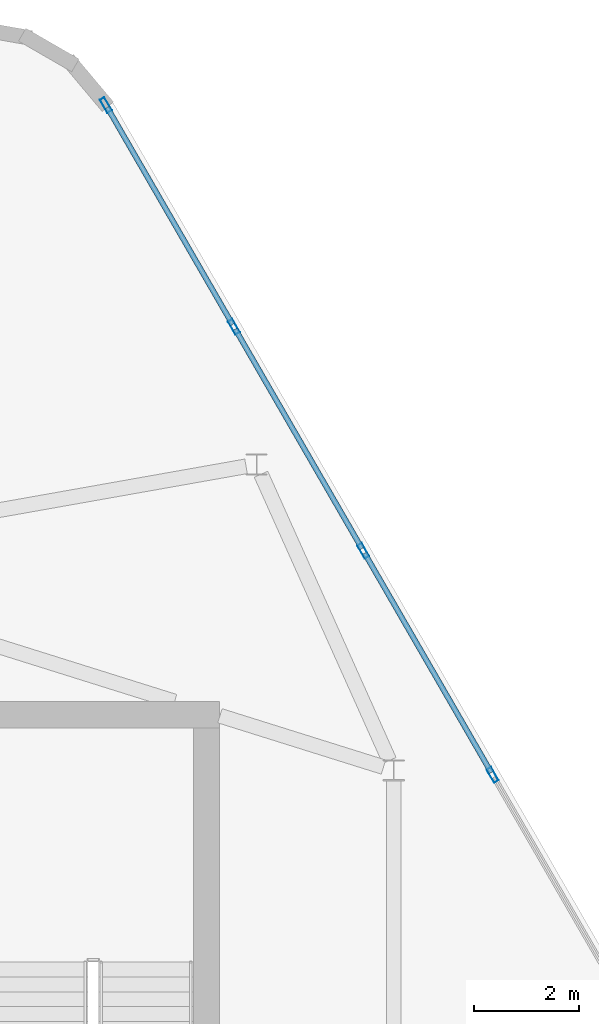
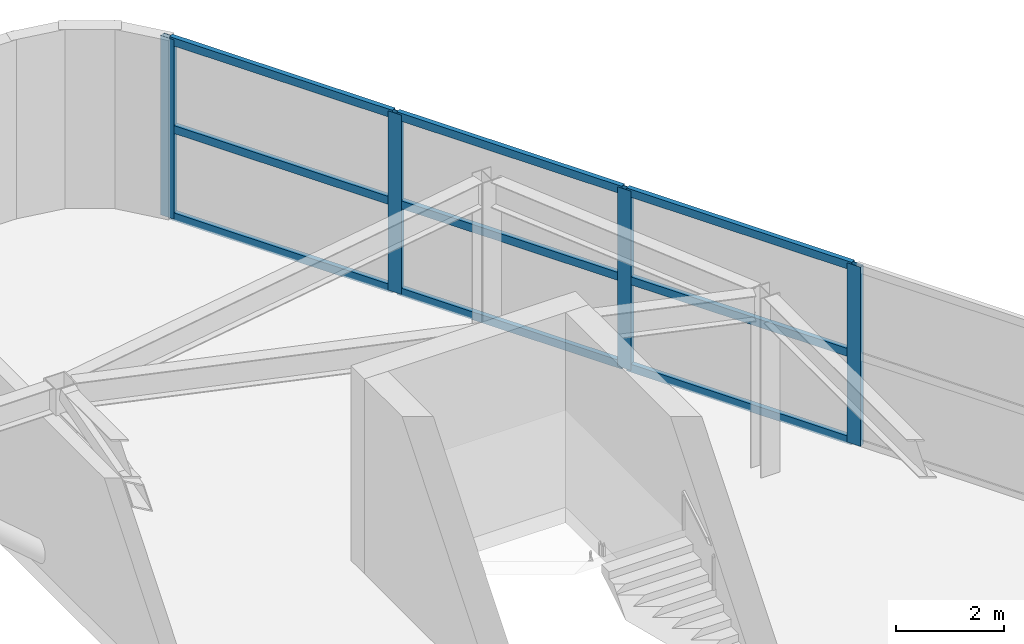
# One storey, part 12 of 16: 13 members, 1 element without a shape of its own.
"""IFC4 building model written with IfcOpenShell, lengths in metres."""

from ifc_helpers import new_model, si_unit, direction, frame, origin, origin_2d, place, context, subcontext, project, spatial, hollow_rectangle, extrude, material, material_profile, profile_set, type_object, element, aggregate, save


model = new_model("IFC4")

# Units and contexts
model_context = context("Model", 3, precision=1e-05, world=origin(), true_north=direction((0.0, 1.0)))
body_context = subcontext(model_context, "Body", "Model", "MODEL_VIEW")
ifc_project = project(units=[si_unit("LENGTHUNIT", "METRE"), si_unit("AREAUNIT", "SQUARE_METRE"), si_unit("VOLUMEUNIT", "CUBIC_METRE"), si_unit("PLANEANGLEUNIT", "RADIAN"), si_unit("MASSUNIT", "GRAM", prefix="KILO")], contexts=[model_context])

# Site, building, storey
site_placement = place(None, origin())
site = spatial("IfcSite", under=ifc_project, at=site_placement, CompositionType="ELEMENT")
building_placement = place(site_placement, origin())
building = spatial("IfcBuilding", under=site, at=building_placement, Name="Zuhravey Tower", CompositionType="ELEMENT")
storey_placement = place(building_placement, frame((0.0, 0.0, 365.800048828125)))
storey = spatial("IfcBuildingStorey", under=building, at=storey_placement, Name="L93", CompositionType="ELEMENT", Elevation=365.800048828125)

# Curtain wall, members
ifc_material_1 = material(Name="Thermally broken anodised aluminium", Category="aluminium")
curtain_wall_type = type_object("IfcCurtainWallType", Name="Split-Top Crown Screened Curtain Wall CW6", PredefinedType="NOTDEFINED", material=ifc_material_1)
curtain_wall_placement = place(storey_placement, origin())
curtain_wall = element("IfcCurtainWall", 1, at=curtain_wall_placement, inside=storey, type_object=curtain_wall_type, Name="L93 CW6 CW6-L93-EAST-04", PredefinedType="NOTDEFINED")
ifc_material_2 = material(Name="Anodised aluminium", Category="aluminium")
ifc_material_profile_1 = material_profile(ifc_material_2, hollow_rectangle(XDim=0.10009765625, YDim=0.2900390625, WallThickness=0.006103515625, at=origin_2d()), Name="ALU-RHS-100x290x6")
ifc_profile_set_1 = profile_set([ifc_material_profile_1], Name="Anodised aluminium")
member_type_1 = type_object("IfcMemberType", Name="Heavy Tall-Storey Mullion 100x220", PredefinedType="MULLION", material=ifc_profile_set_1)
member_1_placement = place(storey_placement, frame((50.741455078125, 54.615234375, 0.0), z_axis=(0.0, 0.0, 1.0), x_axis=(0.866027063754, 0.499997124838, 0.0)))
member_1 = element("IfcMember", 2, at=member_1_placement, type_object=member_type_1, Name="CW6 mullion 1", PredefinedType="MULLION", context=body_context, shape_type="SweptSolid", body=[
    extrude(hollow_rectangle(XDim=0.10009765625, YDim=0.2900390625, WallThickness=0.006103515625, at=origin_2d()), origin(), (0.0, 0.0, 1.0), 4.050048828125),
])
member_2_placement = place(storey_placement, frame((53.16943359375, 50.409912109375, 0.0), z_axis=(0.0, 0.0, 1.0), x_axis=(0.866027063754, 0.499997124838, 0.0)))
member_2 = element("IfcMember", 3, at=member_2_placement, type_object=member_type_1, Name="CW6 mullion 2", PredefinedType="MULLION", context=body_context, shape_type="SweptSolid", body=[
    extrude(hollow_rectangle(XDim=0.10009765625, YDim=0.2900390625, WallThickness=0.006103515625, at=origin_2d()), origin(), (0.0, 0.0, 1.0), 4.050048828125),
])
member_3_placement = place(storey_placement, frame((55.622314453125, 46.161376953125, 0.0), z_axis=(0.0, 0.0, 1.0), x_axis=(0.866027063754, 0.499997124838, 0.0)))
member_3 = element("IfcMember", 4, at=member_3_placement, type_object=member_type_1, Name="CW6 mullion 3", PredefinedType="MULLION", context=body_context, shape_type="SweptSolid", body=[
    extrude(hollow_rectangle(XDim=0.10009765625, YDim=0.2900390625, WallThickness=0.006103515625, at=origin_2d()), origin(), (0.0, 0.0, 1.0), 4.050048828125),
])
member_4_placement = place(storey_placement, frame((58.0751953125, 41.912841796875, 0.0), z_axis=(0.0, 0.0, 1.0), x_axis=(0.866027063754, 0.499997124838, 0.0)))
member_4 = element("IfcMember", 5, at=member_4_placement, type_object=member_type_1, Name="CW6 mullion 4", PredefinedType="MULLION", context=body_context, shape_type="SweptSolid", body=[
    extrude(hollow_rectangle(XDim=0.10009765625, YDim=0.2900390625, WallThickness=0.006103515625, at=origin_2d()), origin(), (0.0, 0.0, 1.0), 4.050048828125),
])
ifc_material_profile_2 = material_profile(ifc_material_2, hollow_rectangle(XDim=0.10009765625, YDim=0.179931640625, WallThickness=0.006103515625, at=origin_2d()), Name="ALU-RHS-100x180x6")
ifc_profile_set_2 = profile_set([ifc_material_profile_2], Name="Anodised aluminium")
member_type_2 = type_object("IfcMemberType", Name="Tall-Storey Transom 100x180", PredefinedType="USERDEFINED", material=ifc_profile_set_2)
member_5_placement = place(storey_placement, frame((50.7666015625, 54.57177734375, 0.050048828125), z_axis=(0.499965384433, -0.866045388169, 0.0), x_axis=(0.866045388169, 0.499965384433, 0.0)))
member_5 = element("IfcMember", 6, at=member_5_placement, type_object=member_type_2, Name="CW6 transom 1.1", ObjectType="TRANSOM", PredefinedType="USERDEFINED", context=body_context, shape_type="SweptSolid", body=[
    extrude(hollow_rectangle(XDim=0.10009765625, YDim=0.179931640625, WallThickness=0.006103515625, at=origin_2d()), origin(), (0.0, 0.0, 1.0), 4.755615234375),
])
member_6_placement = place(storey_placement, frame((50.7666015625, 54.57177734375, 2.02490234375), z_axis=(0.499965384433, -0.866045388169, 0.0), x_axis=(0.866045388169, 0.499965384433, 0.0)))
member_6 = element("IfcMember", 7, at=member_6_placement, type_object=member_type_2, Name="CW6 transom 1.2", ObjectType="TRANSOM", PredefinedType="USERDEFINED", context=body_context, shape_type="SweptSolid", body=[
    extrude(hollow_rectangle(XDim=0.10009765625, YDim=0.179931640625, WallThickness=0.006103515625, at=origin_2d()), origin(), (0.0, 0.0, 1.0), 4.755615234375),
])
member_7_placement = place(storey_placement, frame((50.7666015625, 54.57177734375, 4.0), z_axis=(0.499965384433, -0.866045388169, 0.0), x_axis=(0.866045388169, 0.499965384433, 0.0)))
member_7 = element("IfcMember", 8, at=member_7_placement, type_object=member_type_2, Name="CW6 transom 1.3", ObjectType="TRANSOM", PredefinedType="USERDEFINED", context=body_context, shape_type="SweptSolid", body=[
    extrude(hollow_rectangle(XDim=0.10009765625, YDim=0.179931640625, WallThickness=0.006103515625, at=origin_2d()), origin(), (0.0, 0.0, 1.0), 4.755615234375),
])
member_8_placement = place(storey_placement, frame((53.1943359375, 50.36669921875, 0.050048828125), z_axis=(0.500012672123, -0.866018087407, 0.0), x_axis=(0.866018087407, 0.500012672123, 0.0)))
member_8 = element("IfcMember", 9, at=member_8_placement, type_object=member_type_2, Name="CW6 transom 2.1", ObjectType="TRANSOM", PredefinedType="USERDEFINED", context=body_context, shape_type="SweptSolid", body=[
    extrude(hollow_rectangle(XDim=0.10009765625, YDim=0.179931640625, WallThickness=0.006103515625, at=origin_2d()), origin(), (0.0, 0.0, 1.0), 4.80615234375),
])
member_9_placement = place(storey_placement, frame((53.1943359375, 50.36669921875, 2.02490234375), z_axis=(0.500012672123, -0.866018087407, 0.0), x_axis=(0.866018087407, 0.500012672123, 0.0)))
member_9 = element("IfcMember", 10, at=member_9_placement, type_object=member_type_2, Name="CW6 transom 2.2", ObjectType="TRANSOM", PredefinedType="USERDEFINED", context=body_context, shape_type="SweptSolid", body=[
    extrude(hollow_rectangle(XDim=0.10009765625, YDim=0.179931640625, WallThickness=0.006103515625, at=origin_2d()), origin(), (0.0, 0.0, 1.0), 4.80615234375),
])
member_10_placement = place(storey_placement, frame((53.1943359375, 50.36669921875, 4.0), z_axis=(0.500012672123, -0.866018087407, 0.0), x_axis=(0.866018087407, 0.500012672123, 0.0)))
member_10 = element("IfcMember", 11, at=member_10_placement, type_object=member_type_2, Name="CW6 transom 2.3", ObjectType="TRANSOM", PredefinedType="USERDEFINED", context=body_context, shape_type="SweptSolid", body=[
    extrude(hollow_rectangle(XDim=0.10009765625, YDim=0.179931640625, WallThickness=0.006103515625, at=origin_2d()), origin(), (0.0, 0.0, 1.0), 4.80615234375),
])
member_11_placement = place(storey_placement, frame((55.647216796875, 46.117919921875, 0.050048828125), z_axis=(0.50003466983, -0.866005386223, 0.0), x_axis=(0.866005386223, 0.50003466983, 0.0)))
member_11 = element("IfcMember", 12, at=member_11_placement, type_object=member_type_2, Name="CW6 transom 3.1", ObjectType="TRANSOM", PredefinedType="USERDEFINED", context=body_context, shape_type="SweptSolid", body=[
    extrude(hollow_rectangle(XDim=0.10009765625, YDim=0.179931640625, WallThickness=0.006103515625, at=origin_2d()), origin(), (0.0, 0.0, 1.0), 4.805908203125),
])
member_12_placement = place(storey_placement, frame((55.647216796875, 46.117919921875, 2.02490234375), z_axis=(0.50003466983, -0.866005386223, 0.0), x_axis=(0.866005386223, 0.50003466983, 0.0)))
member_12 = element("IfcMember", 13, at=member_12_placement, type_object=member_type_2, Name="CW6 transom 3.2", ObjectType="TRANSOM", PredefinedType="USERDEFINED", context=body_context, shape_type="SweptSolid", body=[
    extrude(hollow_rectangle(XDim=0.10009765625, YDim=0.179931640625, WallThickness=0.006103515625, at=origin_2d()), origin(), (0.0, 0.0, 1.0), 4.805908203125),
])
member_13_placement = place(storey_placement, frame((55.647216796875, 46.117919921875, 4.0), z_axis=(0.50003466983, -0.866005386223, 0.0), x_axis=(0.866005386223, 0.50003466983, 0.0)))
member_13 = element("IfcMember", 14, at=member_13_placement, type_object=member_type_2, Name="CW6 transom 3.3", ObjectType="TRANSOM", PredefinedType="USERDEFINED", context=body_context, shape_type="SweptSolid", body=[
    extrude(hollow_rectangle(XDim=0.10009765625, YDim=0.179931640625, WallThickness=0.006103515625, at=origin_2d()), origin(), (0.0, 0.0, 1.0), 4.805908203125),
])
aggregate(curtain_wall, [member_1, member_2, member_3, member_4, member_5, member_6, member_7, member_8, member_9, member_10, member_11, member_12, member_13])

save(model, "model.ifc")
